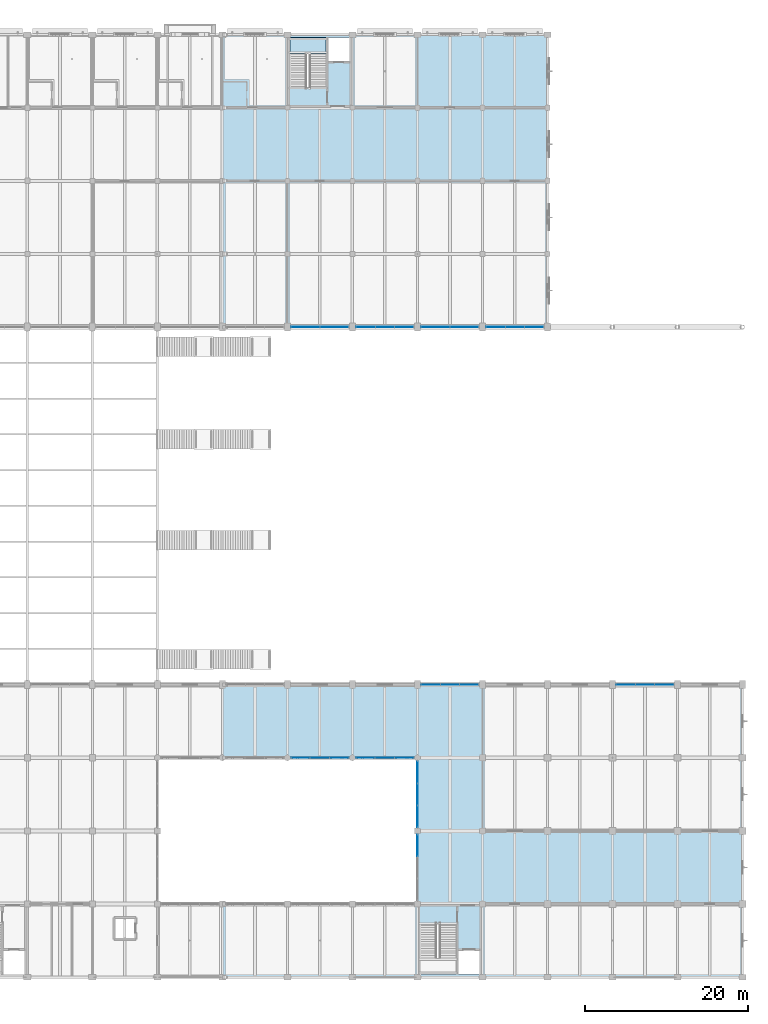
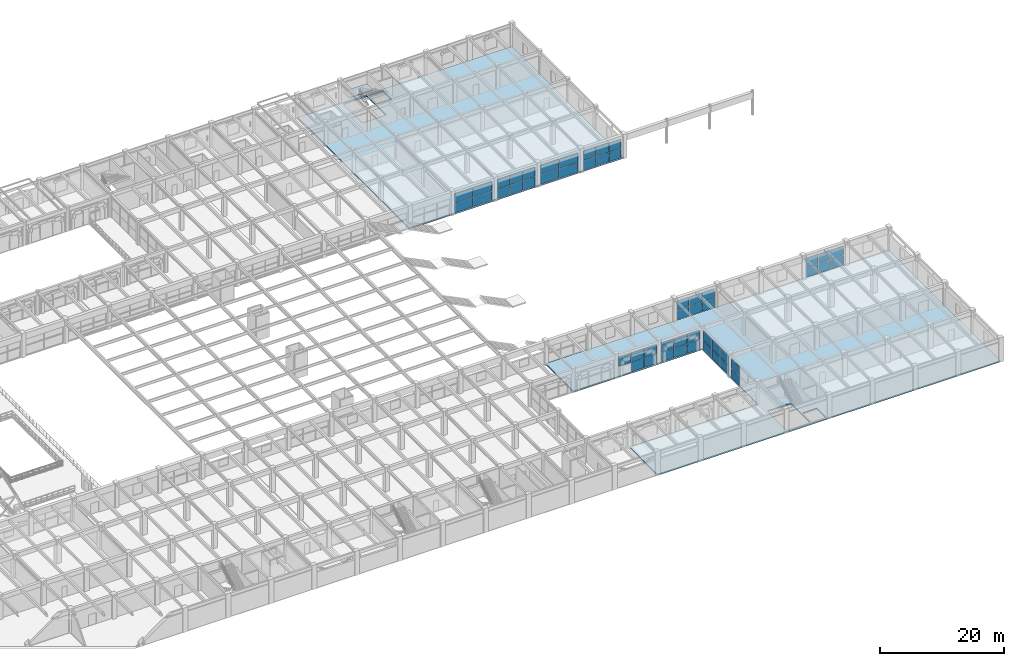
# One storey, part 97 of 144: 51 plates, 3 slabs, 11 elements without a shape of their own.
"""IFC4 building model written with IfcOpenShell, lengths in metres."""

from ifc_helpers import new_model, si_unit, direction, frame, origin, origin_2d, place, context, subcontext, project, spatial, polyline, rectangle, outline, extrude, material, layer, layer_set, type_object, element, aggregate, save


model = new_model("IFC4")

# Units and contexts
model_context = context("Model", 3, precision=1e-05, world=origin(), true_north=direction((0.0, 1.0)))
body_context = subcontext(model_context, "Body", "Model", "MODEL_VIEW")
ifc_project = project(units=[si_unit("LENGTHUNIT", "METRE"), si_unit("AREAUNIT", "SQUARE_METRE"), si_unit("VOLUMEUNIT", "CUBIC_METRE"), si_unit("PLANEANGLEUNIT", "RADIAN"), si_unit("MASSUNIT", "GRAM", prefix="KILO")], contexts=[model_context])

# Site, building, storey
site_placement = place(None, origin())
site = spatial("IfcSite", under=ifc_project, at=site_placement, CompositionType="ELEMENT")
building_placement = place(site_placement, origin())
building = spatial("IfcBuilding", under=site, at=building_placement, Name="Varnabhumi Central Station", CompositionType="ELEMENT")
storey_placement = place(building_placement, frame((0.0, 0.0, 4.800048828125)))
storey = spatial("IfcBuildingStorey", under=building, at=storey_placement, Name="L01", CompositionType="ELEMENT", Elevation=4.800048828125)

# Curtain wall, plates
ifc_material_1 = material(Name="Anodised aluminium 6063-T6", Category="aluminium")
curtain_wall_type_1 = type_object("IfcCurtainWallType", Name="CW-STREET-PORTAL", PredefinedType="NOTDEFINED", material=ifc_material_1)
curtain_wall_1_placement = place(storey_placement, origin())
curtain_wall_1 = element("IfcCurtainWall", 1, at=curtain_wall_1_placement, inside=storey, type_object=curtain_wall_type_1, Name="Curtain Wall CW-NSP119", PredefinedType="NOTDEFINED")
ifc_material_2 = material(Name="Laminated low-E double glazing", Category="glass")
ifc_layer_1 = layer(ifc_material_2, 0.035888671875, Name="Laminated low-E double glazing", Category="glass")
ifc_layer_set_1 = layer_set([ifc_layer_1], Name="Laminated low-E double glazing")
plate_type_1 = type_object("IfcPlateType", Name="CW-PNL-GLZ-2", PredefinedType="CURTAIN_PANEL", material=ifc_layer_set_1)
plate_1_placement = place(storey_placement, frame((153.63330078125, 80.0, 0.0400390625), z_axis=(0.0, 0.0, 1.0), x_axis=(1.0, 0.0, 0.0)))
plate_1 = element("IfcPlate", 2, at=plate_1_placement, type_object=plate_type_1, Name="Glazed Panel CW-NSP119-P11", PredefinedType="CURTAIN_PANEL", context=body_context, shape_type="SweptSolid", body=[
    extrude(rectangle(XDim=2.28662109375, YDim=0.035888671875, at=origin_2d()), origin(), (0.0, 0.0, 1.0), 1.840087890625),
])
plate_2_placement = place(storey_placement, frame((153.63330078125, 80.0, 1.9599609375), z_axis=(0.0, 0.0, 1.0), x_axis=(1.0, 0.0, 0.0)))
plate_2 = element("IfcPlate", 3, at=plate_2_placement, type_object=plate_type_1, Name="Glazed Panel CW-NSP119-P12", PredefinedType="CURTAIN_PANEL", context=body_context, shape_type="SweptSolid", body=[
    extrude(rectangle(XDim=2.28662109375, YDim=0.035888671875, at=origin_2d()), origin(), (0.0, 0.0, 1.0), 1.840087890625),
])
plate_3_placement = place(storey_placement, frame((156.0, 80.0, 0.0400390625), z_axis=(0.0, 0.0, 1.0), x_axis=(1.0, 0.0, 0.0)))
plate_3 = element("IfcPlate", 4, at=plate_3_placement, type_object=plate_type_1, Name="Glazed Panel CW-NSP119-P21", PredefinedType="CURTAIN_PANEL", context=body_context, shape_type="SweptSolid", body=[
    extrude(rectangle(XDim=2.28662109375, YDim=0.035888671875, at=origin_2d()), origin(), (0.0, 0.0, 1.0), 1.840087890625),
])
plate_4_placement = place(storey_placement, frame((156.0, 80.0, 1.9599609375), z_axis=(0.0, 0.0, 1.0), x_axis=(1.0, 0.0, 0.0)))
plate_4 = element("IfcPlate", 5, at=plate_4_placement, type_object=plate_type_1, Name="Glazed Panel CW-NSP119-P22", PredefinedType="CURTAIN_PANEL", context=body_context, shape_type="SweptSolid", body=[
    extrude(rectangle(XDim=2.28662109375, YDim=0.035888671875, at=origin_2d()), origin(), (0.0, 0.0, 1.0), 1.840087890625),
])
plate_5_placement = place(storey_placement, frame((158.36669921875, 80.0, 0.0400390625), z_axis=(0.0, 0.0, 1.0), x_axis=(1.0, 0.0, 0.0)))
plate_5 = element("IfcPlate", 6, at=plate_5_placement, type_object=plate_type_1, Name="Glazed Panel CW-NSP119-P31", PredefinedType="CURTAIN_PANEL", context=body_context, shape_type="SweptSolid", body=[
    extrude(rectangle(XDim=2.28662109375, YDim=0.035888671875, at=origin_2d()), origin(), (0.0, 0.0, 1.0), 1.840087890625),
])
plate_6_placement = place(storey_placement, frame((158.36669921875, 80.0, 1.9599609375), z_axis=(0.0, 0.0, 1.0), x_axis=(1.0, 0.0, 0.0)))
plate_6 = element("IfcPlate", 7, at=plate_6_placement, type_object=plate_type_1, Name="Glazed Panel CW-NSP119-P32", PredefinedType="CURTAIN_PANEL", context=body_context, shape_type="SweptSolid", body=[
    extrude(rectangle(XDim=2.28662109375, YDim=0.035888671875, at=origin_2d()), origin(), (0.0, 0.0, 1.0), 1.840087890625),
])
aggregate(curtain_wall_1, [plate_1, plate_2, plate_3, plate_4, plate_5, plate_6])

curtain_wall_type_2 = type_object("IfcCurtainWallType", Name="CW-SPINE-SCREEN-L0", PredefinedType="NOTDEFINED", material=ifc_material_1)
curtain_wall_2_placement = place(storey_placement, origin())
curtain_wall_2 = element("IfcCurtainWall", 8, at=curtain_wall_2_placement, inside=storey, type_object=curtain_wall_type_2, Name="Curtain Wall CW-SS118", PredefinedType="NOTDEFINED")
plate_7_placement = place(storey_placement, frame((145.63330078125, 36.0, 0.0400390625), z_axis=(0.0, 0.0, 1.0), x_axis=(1.0, 0.0, 0.0)))
plate_7 = element("IfcPlate", 9, at=plate_7_placement, type_object=plate_type_1, Name="Glazed Panel CW-SS118-P11", PredefinedType="CURTAIN_PANEL", context=body_context, shape_type="SweptSolid", body=[
    extrude(rectangle(XDim=2.28662109375, YDim=0.035888671875, at=origin_2d()), origin(), (0.0, 0.0, 1.0), 1.840087890625),
])
plate_8_placement = place(storey_placement, frame((145.63330078125, 36.0, 1.9599609375), z_axis=(0.0, 0.0, 1.0), x_axis=(1.0, 0.0, 0.0)))
plate_8 = element("IfcPlate", 10, at=plate_8_placement, type_object=plate_type_1, Name="Glazed Panel CW-SS118-P12", PredefinedType="CURTAIN_PANEL", context=body_context, shape_type="SweptSolid", body=[
    extrude(rectangle(XDim=2.28662109375, YDim=0.035888671875, at=origin_2d()), origin(), (0.0, 0.0, 1.0), 1.840087890625),
])
plate_9_placement = place(storey_placement, frame((148.0, 36.0, 0.0400390625), z_axis=(0.0, 0.0, 1.0), x_axis=(1.0, 0.0, 0.0)))
plate_9 = element("IfcPlate", 11, at=plate_9_placement, type_object=plate_type_1, Name="Glazed Panel CW-SS118-P21", PredefinedType="CURTAIN_PANEL", context=body_context, shape_type="SweptSolid", body=[
    extrude(rectangle(XDim=2.28662109375, YDim=0.035888671875, at=origin_2d()), origin(), (0.0, 0.0, 1.0), 1.840087890625),
])
plate_10_placement = place(storey_placement, frame((148.0, 36.0, 1.9599609375), z_axis=(0.0, 0.0, 1.0), x_axis=(1.0, 0.0, 0.0)))
plate_10 = element("IfcPlate", 12, at=plate_10_placement, type_object=plate_type_1, Name="Glazed Panel CW-SS118-P22", PredefinedType="CURTAIN_PANEL", context=body_context, shape_type="SweptSolid", body=[
    extrude(rectangle(XDim=2.28662109375, YDim=0.035888671875, at=origin_2d()), origin(), (0.0, 0.0, 1.0), 1.840087890625),
])
plate_11_placement = place(storey_placement, frame((150.36669921875, 36.0, 0.0400390625), z_axis=(0.0, 0.0, 1.0), x_axis=(1.0, 0.0, 0.0)))
plate_11 = element("IfcPlate", 13, at=plate_11_placement, type_object=plate_type_1, Name="Glazed Panel CW-SS118-P31", PredefinedType="CURTAIN_PANEL", context=body_context, shape_type="SweptSolid", body=[
    extrude(rectangle(XDim=2.28662109375, YDim=0.035888671875, at=origin_2d()), origin(), (0.0, 0.0, 1.0), 1.840087890625),
])
plate_12_placement = place(storey_placement, frame((150.36669921875, 36.0, 1.9599609375), z_axis=(0.0, 0.0, 1.0), x_axis=(1.0, 0.0, 0.0)))
plate_12 = element("IfcPlate", 14, at=plate_12_placement, type_object=plate_type_1, Name="Glazed Panel CW-SS118-P32", PredefinedType="CURTAIN_PANEL", context=body_context, shape_type="SweptSolid", body=[
    extrude(rectangle(XDim=2.28662109375, YDim=0.035888671875, at=origin_2d()), origin(), (0.0, 0.0, 1.0), 1.840087890625),
])
aggregate(curtain_wall_2, [plate_7, plate_8, plate_9, plate_10, plate_11, plate_12])

curtain_wall_type_3 = type_object("IfcCurtainWallType", Name="CW-PATIO-LOGGIA-L1", PredefinedType="NOTDEFINED", material=ifc_material_1)
curtain_wall_3_placement = place(storey_placement, origin())
curtain_wall_3 = element("IfcCurtainWall", 15, at=curtain_wall_3_placement, inside=storey, type_object=curtain_wall_type_3, Name="Curtain Wall CW-SP1W1", PredefinedType="NOTDEFINED")
ifc_layer_2 = layer(ifc_material_2, 0.035888671875, Name="Laminated low-E double glazing", Category="glass")
ifc_layer_set_2 = layer_set([ifc_layer_2], Name="Laminated low-E double glazing")
plate_type_2 = type_object("IfcPlateType", Name="CW-PNL-GLZ-3", PredefinedType="CURTAIN_PANEL", material=ifc_layer_set_2)
plate_13_placement = place(storey_placement, frame((144.0, 16.219970703125, 0.0400390625), z_axis=(0.0, 0.0, 1.0), x_axis=(0.0, 1.0, 0.0)))
plate_13 = element("IfcPlate", 16, at=plate_13_placement, type_object=plate_type_2, Name="Glazed Panel CW-SP1W1-P31", PredefinedType="CURTAIN_PANEL", context=body_context, shape_type="SweptSolid", body=[
    extrude(rectangle(XDim=2.639892578125, YDim=0.035888671875, at=origin_2d()), origin(), (0.0, 0.0, 1.0), 1.840087890625),
])
plate_14_placement = place(storey_placement, frame((144.0, 16.219970703125, 1.9599609375), z_axis=(0.0, 0.0, 1.0), x_axis=(0.0, 1.0, 0.0)))
plate_14 = element("IfcPlate", 17, at=plate_14_placement, type_object=plate_type_2, Name="Glazed Panel CW-SP1W1-P32", PredefinedType="CURTAIN_PANEL", context=body_context, shape_type="SweptSolid", body=[
    extrude(rectangle(XDim=2.639892578125, YDim=0.035888671875, at=origin_2d()), origin(), (0.0, 0.0, 1.0), 1.840087890625),
])
aggregate(curtain_wall_3, [plate_13, plate_14])

curtain_wall_4_placement = place(storey_placement, origin())
curtain_wall_4 = element("IfcCurtainWall", 18, at=curtain_wall_4_placement, inside=storey, type_object=curtain_wall_type_3, Name="Curtain Wall CW-SP1W2", PredefinedType="NOTDEFINED")
plate_15_placement = place(storey_placement, frame((144.0, 19.780029296875, 0.0400390625), z_axis=(0.0, 0.0, 1.0), x_axis=(0.0, 1.0, 0.0)))
plate_15 = element("IfcPlate", 19, at=plate_15_placement, type_object=plate_type_2, Name="Glazed Panel CW-SP1W2-P11", PredefinedType="CURTAIN_PANEL", context=body_context, shape_type="SweptSolid", body=[
    extrude(rectangle(XDim=2.639892578125, YDim=0.035888671875, at=origin_2d()), origin(), (0.0, 0.0, 1.0), 1.840087890625),
])
plate_16_placement = place(storey_placement, frame((144.0, 19.780029296875, 1.9599609375), z_axis=(0.0, 0.0, 1.0), x_axis=(0.0, 1.0, 0.0)))
plate_16 = element("IfcPlate", 20, at=plate_16_placement, type_object=plate_type_2, Name="Glazed Panel CW-SP1W2-P12", PredefinedType="CURTAIN_PANEL", context=body_context, shape_type="SweptSolid", body=[
    extrude(rectangle(XDim=2.639892578125, YDim=0.035888671875, at=origin_2d()), origin(), (0.0, 0.0, 1.0), 1.840087890625),
])
plate_17_placement = place(storey_placement, frame((144.0, 22.5, 0.0400390625), z_axis=(0.0, 0.0, 1.0), x_axis=(0.0, 1.0, 0.0)))
plate_17 = element("IfcPlate", 21, at=plate_17_placement, type_object=plate_type_2, Name="Glazed Panel CW-SP1W2-P21", PredefinedType="CURTAIN_PANEL", context=body_context, shape_type="SweptSolid", body=[
    extrude(rectangle(XDim=2.639892578125, YDim=0.035888671875, at=origin_2d()), origin(), (0.0, 0.0, 1.0), 1.840087890625),
])
plate_18_placement = place(storey_placement, frame((144.0, 22.5, 1.9599609375), z_axis=(0.0, 0.0, 1.0), x_axis=(0.0, 1.0, 0.0)))
plate_18 = element("IfcPlate", 22, at=plate_18_placement, type_object=plate_type_2, Name="Glazed Panel CW-SP1W2-P22", PredefinedType="CURTAIN_PANEL", context=body_context, shape_type="SweptSolid", body=[
    extrude(rectangle(XDim=2.639892578125, YDim=0.035888671875, at=origin_2d()), origin(), (0.0, 0.0, 1.0), 1.840087890625),
])
plate_19_placement = place(storey_placement, frame((144.0, 25.219970703125, 0.0400390625), z_axis=(0.0, 0.0, 1.0), x_axis=(0.0, 1.0, 0.0)))
plate_19 = element("IfcPlate", 23, at=plate_19_placement, type_object=plate_type_2, Name="Glazed Panel CW-SP1W2-P31", PredefinedType="CURTAIN_PANEL", context=body_context, shape_type="SweptSolid", body=[
    extrude(rectangle(XDim=2.639892578125, YDim=0.035888671875, at=origin_2d()), origin(), (0.0, 0.0, 1.0), 1.840087890625),
])
plate_20_placement = place(storey_placement, frame((144.0, 25.219970703125, 1.9599609375), z_axis=(0.0, 0.0, 1.0), x_axis=(0.0, 1.0, 0.0)))
plate_20 = element("IfcPlate", 24, at=plate_20_placement, type_object=plate_type_2, Name="Glazed Panel CW-SP1W2-P32", PredefinedType="CURTAIN_PANEL", context=body_context, shape_type="SweptSolid", body=[
    extrude(rectangle(XDim=2.639892578125, YDim=0.035888671875, at=origin_2d()), origin(), (0.0, 0.0, 1.0), 1.840087890625),
])
aggregate(curtain_wall_4, [plate_15, plate_16, plate_17, plate_18, plate_19, plate_20])

curtain_wall_5_placement = place(storey_placement, origin())
curtain_wall_5 = element("IfcCurtainWall", 25, at=curtain_wall_5_placement, inside=storey, type_object=curtain_wall_type_2, Name="Curtain Wall CW-NS116", PredefinedType="NOTDEFINED")
ifc_layer_3 = layer(ifc_material_2, 0.035888671875, Name="Laminated low-E double glazing", Category="glass")
ifc_layer_set_3 = layer_set([ifc_layer_3], Name="Laminated low-E double glazing")
plate_type_3 = type_object("IfcPlateType", Name="CW-PNL-GLZ-5", PredefinedType="CURTAIN_PANEL", material=ifc_layer_set_3)
plate_21_placement = place(storey_placement, frame((130.22509765625, 80.0, 0.0400390625), z_axis=(0.0, 0.0, 1.0), x_axis=(1.0, 0.0, 0.0)))
plate_21 = element("IfcPlate", 26, at=plate_21_placement, type_object=plate_type_3, Name="Glazed Panel CW-NS116-P11", PredefinedType="CURTAIN_PANEL", context=body_context, shape_type="SweptSolid", body=[
    extrude(rectangle(XDim=3.469970703125, YDim=0.035888671875, at=origin_2d()), origin(), (0.0, 0.0, 1.0), 1.840087890625),
])
plate_22_placement = place(storey_placement, frame((130.22509765625, 80.0, 1.9599609375), z_axis=(0.0, 0.0, 1.0), x_axis=(1.0, 0.0, 0.0)))
plate_22 = element("IfcPlate", 27, at=plate_22_placement, type_object=plate_type_3, Name="Glazed Panel CW-NS116-P12", PredefinedType="CURTAIN_PANEL", context=body_context, shape_type="SweptSolid", body=[
    extrude(rectangle(XDim=3.469970703125, YDim=0.035888671875, at=origin_2d()), origin(), (0.0, 0.0, 1.0), 1.840087890625),
])
plate_23_placement = place(storey_placement, frame((133.77490234375, 80.0, 0.0400390625), z_axis=(0.0, 0.0, 1.0), x_axis=(1.0, 0.0, 0.0)))
plate_23 = element("IfcPlate", 28, at=plate_23_placement, type_object=plate_type_3, Name="Glazed Panel CW-NS116-P21", PredefinedType="CURTAIN_PANEL", context=body_context, shape_type="SweptSolid", body=[
    extrude(rectangle(XDim=3.469970703125, YDim=0.035888671875, at=origin_2d()), origin(), (0.0, 0.0, 1.0), 1.840087890625),
])
plate_24_placement = place(storey_placement, frame((133.77490234375, 80.0, 1.9599609375), z_axis=(0.0, 0.0, 1.0), x_axis=(1.0, 0.0, 0.0)))
plate_24 = element("IfcPlate", 29, at=plate_24_placement, type_object=plate_type_3, Name="Glazed Panel CW-NS116-P22", PredefinedType="CURTAIN_PANEL", context=body_context, shape_type="SweptSolid", body=[
    extrude(rectangle(XDim=3.469970703125, YDim=0.035888671875, at=origin_2d()), origin(), (0.0, 0.0, 1.0), 1.840087890625),
])
aggregate(curtain_wall_5, [plate_21, plate_22, plate_23, plate_24])

curtain_wall_6_placement = place(storey_placement, origin())
curtain_wall_6 = element("IfcCurtainWall", 30, at=curtain_wall_6_placement, inside=storey, type_object=curtain_wall_type_2, Name="Curtain Wall CW-NS118", PredefinedType="NOTDEFINED")
plate_25_placement = place(storey_placement, frame((146.22509765625, 80.0, 0.0400390625), z_axis=(0.0, 0.0, 1.0), x_axis=(1.0, 0.0, 0.0)))
plate_25 = element("IfcPlate", 31, at=plate_25_placement, type_object=plate_type_3, Name="Glazed Panel CW-NS118-P11", PredefinedType="CURTAIN_PANEL", context=body_context, shape_type="SweptSolid", body=[
    extrude(rectangle(XDim=3.469970703125, YDim=0.035888671875, at=origin_2d()), origin(), (0.0, 0.0, 1.0), 1.840087890625),
])
plate_26_placement = place(storey_placement, frame((146.22509765625, 80.0, 1.9599609375), z_axis=(0.0, 0.0, 1.0), x_axis=(1.0, 0.0, 0.0)))
plate_26 = element("IfcPlate", 32, at=plate_26_placement, type_object=plate_type_3, Name="Glazed Panel CW-NS118-P12", PredefinedType="CURTAIN_PANEL", context=body_context, shape_type="SweptSolid", body=[
    extrude(rectangle(XDim=3.469970703125, YDim=0.035888671875, at=origin_2d()), origin(), (0.0, 0.0, 1.0), 1.840087890625),
])
plate_27_placement = place(storey_placement, frame((149.77490234375, 80.0, 0.0400390625), z_axis=(0.0, 0.0, 1.0), x_axis=(1.0, 0.0, 0.0)))
plate_27 = element("IfcPlate", 33, at=plate_27_placement, type_object=plate_type_3, Name="Glazed Panel CW-NS118-P21", PredefinedType="CURTAIN_PANEL", context=body_context, shape_type="SweptSolid", body=[
    extrude(rectangle(XDim=3.469970703125, YDim=0.035888671875, at=origin_2d()), origin(), (0.0, 0.0, 1.0), 1.840087890625),
])
plate_28_placement = place(storey_placement, frame((149.77490234375, 80.0, 1.9599609375), z_axis=(0.0, 0.0, 1.0), x_axis=(1.0, 0.0, 0.0)))
plate_28 = element("IfcPlate", 34, at=plate_28_placement, type_object=plate_type_3, Name="Glazed Panel CW-NS118-P22", PredefinedType="CURTAIN_PANEL", context=body_context, shape_type="SweptSolid", body=[
    extrude(rectangle(XDim=3.469970703125, YDim=0.035888671875, at=origin_2d()), origin(), (0.0, 0.0, 1.0), 1.840087890625),
])
aggregate(curtain_wall_6, [plate_25, plate_26, plate_27, plate_28])

curtain_wall_7_placement = place(storey_placement, origin())
curtain_wall_7 = element("IfcCurtainWall", 35, at=curtain_wall_7_placement, inside=storey, type_object=curtain_wall_type_2, Name="Curtain Wall CW-SS121", PredefinedType="NOTDEFINED")
plate_29_placement = place(storey_placement, frame((169.63330078125, 36.0, 0.0400390625), z_axis=(0.0, 0.0, 1.0), x_axis=(1.0, 0.0, 0.0)))
plate_29 = element("IfcPlate", 36, at=plate_29_placement, type_object=plate_type_3, Name="Glazed Panel CW-SS121-P11", PredefinedType="CURTAIN_PANEL", context=body_context, shape_type="SweptSolid", body=[
    extrude(rectangle(XDim=2.28662109375, YDim=0.035888671875, at=origin_2d()), origin(), (0.0, 0.0, 1.0), 1.840087890625),
])
plate_30_placement = place(storey_placement, frame((169.63330078125, 36.0, 1.9599609375), z_axis=(0.0, 0.0, 1.0), x_axis=(1.0, 0.0, 0.0)))
plate_30 = element("IfcPlate", 37, at=plate_30_placement, type_object=plate_type_3, Name="Glazed Panel CW-SS121-P12", PredefinedType="CURTAIN_PANEL", context=body_context, shape_type="SweptSolid", body=[
    extrude(rectangle(XDim=2.28662109375, YDim=0.035888671875, at=origin_2d()), origin(), (0.0, 0.0, 1.0), 1.840087890625),
])
plate_31_placement = place(storey_placement, frame((172.0, 36.0, 0.0400390625), z_axis=(0.0, 0.0, 1.0), x_axis=(1.0, 0.0, 0.0)))
plate_31 = element("IfcPlate", 38, at=plate_31_placement, type_object=plate_type_3, Name="Glazed Panel CW-SS121-P21", PredefinedType="CURTAIN_PANEL", context=body_context, shape_type="SweptSolid", body=[
    extrude(rectangle(XDim=2.28662109375, YDim=0.035888671875, at=origin_2d()), origin(), (0.0, 0.0, 1.0), 1.840087890625),
])
plate_32_placement = place(storey_placement, frame((172.0, 36.0, 1.9599609375), z_axis=(0.0, 0.0, 1.0), x_axis=(1.0, 0.0, 0.0)))
plate_32 = element("IfcPlate", 39, at=plate_32_placement, type_object=plate_type_3, Name="Glazed Panel CW-SS121-P22", PredefinedType="CURTAIN_PANEL", context=body_context, shape_type="SweptSolid", body=[
    extrude(rectangle(XDim=2.28662109375, YDim=0.035888671875, at=origin_2d()), origin(), (0.0, 0.0, 1.0), 1.840087890625),
])
plate_33_placement = place(storey_placement, frame((174.36669921875, 36.0, 0.0400390625), z_axis=(0.0, 0.0, 1.0), x_axis=(1.0, 0.0, 0.0)))
plate_33 = element("IfcPlate", 40, at=plate_33_placement, type_object=plate_type_3, Name="Glazed Panel CW-SS121-P31", PredefinedType="CURTAIN_PANEL", context=body_context, shape_type="SweptSolid", body=[
    extrude(rectangle(XDim=2.28662109375, YDim=0.035888671875, at=origin_2d()), origin(), (0.0, 0.0, 1.0), 1.840087890625),
])
plate_34_placement = place(storey_placement, frame((174.36669921875, 36.0, 1.9599609375), z_axis=(0.0, 0.0, 1.0), x_axis=(1.0, 0.0, 0.0)))
plate_34 = element("IfcPlate", 41, at=plate_34_placement, type_object=plate_type_3, Name="Glazed Panel CW-SS121-P32", PredefinedType="CURTAIN_PANEL", context=body_context, shape_type="SweptSolid", body=[
    extrude(rectangle(XDim=2.28662109375, YDim=0.035888671875, at=origin_2d()), origin(), (0.0, 0.0, 1.0), 1.840087890625),
])
aggregate(curtain_wall_7, [plate_29, plate_30, plate_31, plate_32, plate_33, plate_34])

curtain_wall_8_placement = place(storey_placement, origin())
curtain_wall_8 = element("IfcCurtainWall", 42, at=curtain_wall_8_placement, inside=storey, type_object=curtain_wall_type_1, Name="Curtain Wall CW-NSP117", PredefinedType="NOTDEFINED")
ifc_layer_4 = layer(ifc_material_2, 0.035888671875, Name="Laminated low-E double glazing", Category="glass")
ifc_layer_set_4 = layer_set([ifc_layer_4], Name="Laminated low-E double glazing")
plate_type_4 = type_object("IfcPlateType", Name="CW-PNL-GLZ-6", PredefinedType="CURTAIN_PANEL", material=ifc_layer_set_4)
plate_35_placement = place(storey_placement, frame((137.63330078125, 80.0, 0.0400390625), z_axis=(0.0, 0.0, 1.0), x_axis=(1.0, 0.0, 0.0)))
plate_35 = element("IfcPlate", 43, at=plate_35_placement, type_object=plate_type_4, Name="Glazed Panel CW-NSP117-P11", PredefinedType="CURTAIN_PANEL", context=body_context, shape_type="SweptSolid", body=[
    extrude(rectangle(XDim=2.28662109375, YDim=0.035888671875, at=origin_2d()), origin(), (0.0, 0.0, 1.0), 1.840087890625),
])
plate_36_placement = place(storey_placement, frame((137.63330078125, 80.0, 1.9599609375), z_axis=(0.0, 0.0, 1.0), x_axis=(1.0, 0.0, 0.0)))
plate_36 = element("IfcPlate", 44, at=plate_36_placement, type_object=plate_type_4, Name="Glazed Panel CW-NSP117-P12", PredefinedType="CURTAIN_PANEL", context=body_context, shape_type="SweptSolid", body=[
    extrude(rectangle(XDim=2.28662109375, YDim=0.035888671875, at=origin_2d()), origin(), (0.0, 0.0, 1.0), 1.840087890625),
])
plate_37_placement = place(storey_placement, frame((140.0, 80.0, 0.0400390625), z_axis=(0.0, 0.0, 1.0), x_axis=(1.0, 0.0, 0.0)))
plate_37 = element("IfcPlate", 45, at=plate_37_placement, type_object=plate_type_4, Name="Glazed Panel CW-NSP117-P21", PredefinedType="CURTAIN_PANEL", context=body_context, shape_type="SweptSolid", body=[
    extrude(rectangle(XDim=2.28662109375, YDim=0.035888671875, at=origin_2d()), origin(), (0.0, 0.0, 1.0), 1.840087890625),
])
plate_38_placement = place(storey_placement, frame((140.0, 80.0, 1.9599609375), z_axis=(0.0, 0.0, 1.0), x_axis=(1.0, 0.0, 0.0)))
plate_38 = element("IfcPlate", 46, at=plate_38_placement, type_object=plate_type_4, Name="Glazed Panel CW-NSP117-P22", PredefinedType="CURTAIN_PANEL", context=body_context, shape_type="SweptSolid", body=[
    extrude(rectangle(XDim=2.28662109375, YDim=0.035888671875, at=origin_2d()), origin(), (0.0, 0.0, 1.0), 1.840087890625),
])
plate_39_placement = place(storey_placement, frame((142.36669921875, 80.0, 0.0400390625), z_axis=(0.0, 0.0, 1.0), x_axis=(1.0, 0.0, 0.0)))
plate_39 = element("IfcPlate", 47, at=plate_39_placement, type_object=plate_type_4, Name="Glazed Panel CW-NSP117-P31", PredefinedType="CURTAIN_PANEL", context=body_context, shape_type="SweptSolid", body=[
    extrude(rectangle(XDim=2.28662109375, YDim=0.035888671875, at=origin_2d()), origin(), (0.0, 0.0, 1.0), 1.840087890625),
])
plate_40_placement = place(storey_placement, frame((142.36669921875, 80.0, 1.9599609375), z_axis=(0.0, 0.0, 1.0), x_axis=(1.0, 0.0, 0.0)))
plate_40 = element("IfcPlate", 48, at=plate_40_placement, type_object=plate_type_4, Name="Glazed Panel CW-NSP117-P32", PredefinedType="CURTAIN_PANEL", context=body_context, shape_type="SweptSolid", body=[
    extrude(rectangle(XDim=2.28662109375, YDim=0.035888671875, at=origin_2d()), origin(), (0.0, 0.0, 1.0), 1.840087890625),
])
aggregate(curtain_wall_8, [plate_35, plate_36, plate_37, plate_38, plate_39, plate_40])

curtain_wall_9_placement = place(storey_placement, origin())
curtain_wall_9 = element("IfcCurtainWall", 49, at=curtain_wall_9_placement, inside=storey, type_object=curtain_wall_type_3, Name="Curtain Wall CW-SP1N3", PredefinedType="NOTDEFINED")
ifc_layer_5 = layer(ifc_material_2, 0.035888671875, Name="Laminated low-E double glazing", Category="glass")
ifc_layer_set_5 = layer_set([ifc_layer_5], Name="Laminated low-E double glazing")
plate_type_5 = type_object("IfcPlateType", Name="CW-PNL-GLZ-7", PredefinedType="CURTAIN_PANEL", material=ifc_layer_set_5)
plate_41_placement = place(storey_placement, frame((129.61328125, 27.0, 1.9599609375), z_axis=(0.0, 0.0, 1.0), x_axis=(1.0, 0.0, 0.0)))
plate_41 = element("IfcPlate", 50, at=plate_41_placement, type_object=plate_type_5, Name="Glazed Panel CW-SP1N3-P12", PredefinedType="CURTAIN_PANEL", context=body_context, shape_type="SweptSolid", body=[
    extrude(rectangle(XDim=2.306640625, YDim=0.035888671875, at=origin_2d()), origin(), (0.0, 0.0, 1.0), 1.840087890625),
])
plate_42_placement = place(storey_placement, frame((132.0, 27.0, 0.0400390625), z_axis=(0.0, 0.0, 1.0), x_axis=(1.0, 0.0, 0.0)))
plate_42 = element("IfcPlate", 51, at=plate_42_placement, type_object=plate_type_5, Name="Glazed Panel CW-SP1N3-P21", PredefinedType="CURTAIN_PANEL", context=body_context, shape_type="SweptSolid", body=[
    extrude(rectangle(XDim=2.306640625, YDim=0.035888671875, at=origin_2d()), origin(), (0.0, 0.0, 1.0), 1.840087890625),
])
plate_43_placement = place(storey_placement, frame((132.0, 27.0, 1.9599609375), z_axis=(0.0, 0.0, 1.0), x_axis=(1.0, 0.0, 0.0)))
plate_43 = element("IfcPlate", 52, at=plate_43_placement, type_object=plate_type_5, Name="Glazed Panel CW-SP1N3-P22", PredefinedType="CURTAIN_PANEL", context=body_context, shape_type="SweptSolid", body=[
    extrude(rectangle(XDim=2.306640625, YDim=0.035888671875, at=origin_2d()), origin(), (0.0, 0.0, 1.0), 1.840087890625),
])
plate_44_placement = place(storey_placement, frame((134.38671875, 27.0, 0.0400390625), z_axis=(0.0, 0.0, 1.0), x_axis=(1.0, 0.0, 0.0)))
plate_44 = element("IfcPlate", 53, at=plate_44_placement, type_object=plate_type_5, Name="Glazed Panel CW-SP1N3-P31", PredefinedType="CURTAIN_PANEL", context=body_context, shape_type="SweptSolid", body=[
    extrude(rectangle(XDim=2.306640625, YDim=0.035888671875, at=origin_2d()), origin(), (0.0, 0.0, 1.0), 1.840087890625),
])
plate_45_placement = place(storey_placement, frame((134.38671875, 27.0, 1.9599609375), z_axis=(0.0, 0.0, 1.0), x_axis=(1.0, 0.0, 0.0)))
plate_45 = element("IfcPlate", 54, at=plate_45_placement, type_object=plate_type_5, Name="Glazed Panel CW-SP1N3-P32", PredefinedType="CURTAIN_PANEL", context=body_context, shape_type="SweptSolid", body=[
    extrude(rectangle(XDim=2.306640625, YDim=0.035888671875, at=origin_2d()), origin(), (0.0, 0.0, 1.0), 1.840087890625),
])
aggregate(curtain_wall_9, [plate_41, plate_42, plate_43, plate_44, plate_45])

curtain_wall_10_placement = place(storey_placement, origin())
curtain_wall_10 = element("IfcCurtainWall", 55, at=curtain_wall_10_placement, inside=storey, type_object=curtain_wall_type_3, Name="Curtain Wall CW-SP1N4", PredefinedType="NOTDEFINED")
ifc_layer_6 = layer(ifc_material_2, 0.035888671875, Name="Laminated low-E double glazing", Category="glass")
ifc_layer_set_6 = layer_set([ifc_layer_6], Name="Laminated low-E double glazing")
plate_type_6 = type_object("IfcPlateType", Name="CW-PNL-GLZ-8", PredefinedType="CURTAIN_PANEL", material=ifc_layer_set_6)
plate_46_placement = place(storey_placement, frame((137.61328125, 27.0, 0.0400390625), z_axis=(0.0, 0.0, 1.0), x_axis=(1.0, 0.0, 0.0)))
plate_46 = element("IfcPlate", 56, at=plate_46_placement, type_object=plate_type_6, Name="Glazed Panel CW-SP1N4-P11", PredefinedType="CURTAIN_PANEL", context=body_context, shape_type="SweptSolid", body=[
    extrude(rectangle(XDim=2.306640625, YDim=0.035888671875, at=origin_2d()), origin(), (0.0, 0.0, 1.0), 1.840087890625),
])
plate_47_placement = place(storey_placement, frame((137.61328125, 27.0, 1.9599609375), z_axis=(0.0, 0.0, 1.0), x_axis=(1.0, 0.0, 0.0)))
plate_47 = element("IfcPlate", 57, at=plate_47_placement, type_object=plate_type_6, Name="Glazed Panel CW-SP1N4-P12", PredefinedType="CURTAIN_PANEL", context=body_context, shape_type="SweptSolid", body=[
    extrude(rectangle(XDim=2.306640625, YDim=0.035888671875, at=origin_2d()), origin(), (0.0, 0.0, 1.0), 1.840087890625),
])
plate_48_placement = place(storey_placement, frame((140.0, 27.0, 0.0400390625), z_axis=(0.0, 0.0, 1.0), x_axis=(1.0, 0.0, 0.0)))
plate_48 = element("IfcPlate", 58, at=plate_48_placement, type_object=plate_type_6, Name="Glazed Panel CW-SP1N4-P21", PredefinedType="CURTAIN_PANEL", context=body_context, shape_type="SweptSolid", body=[
    extrude(rectangle(XDim=2.306640625, YDim=0.035888671875, at=origin_2d()), origin(), (0.0, 0.0, 1.0), 1.840087890625),
])
plate_49_placement = place(storey_placement, frame((140.0, 27.0, 1.9599609375), z_axis=(0.0, 0.0, 1.0), x_axis=(1.0, 0.0, 0.0)))
plate_49 = element("IfcPlate", 59, at=plate_49_placement, type_object=plate_type_6, Name="Glazed Panel CW-SP1N4-P22", PredefinedType="CURTAIN_PANEL", context=body_context, shape_type="SweptSolid", body=[
    extrude(rectangle(XDim=2.306640625, YDim=0.035888671875, at=origin_2d()), origin(), (0.0, 0.0, 1.0), 1.840087890625),
])
plate_50_placement = place(storey_placement, frame((142.38671875, 27.0, 0.0400390625), z_axis=(0.0, 0.0, 1.0), x_axis=(1.0, 0.0, 0.0)))
plate_50 = element("IfcPlate", 60, at=plate_50_placement, type_object=plate_type_6, Name="Glazed Panel CW-SP1N4-P31", PredefinedType="CURTAIN_PANEL", context=body_context, shape_type="SweptSolid", body=[
    extrude(rectangle(XDim=2.306640625, YDim=0.035888671875, at=origin_2d()), origin(), (0.0, 0.0, 1.0), 1.840087890625),
])
plate_51_placement = place(storey_placement, frame((142.38671875, 27.0, 1.9599609375), z_axis=(0.0, 0.0, 1.0), x_axis=(1.0, 0.0, 0.0)))
plate_51 = element("IfcPlate", 61, at=plate_51_placement, type_object=plate_type_6, Name="Glazed Panel CW-SP1N4-P32", PredefinedType="CURTAIN_PANEL", context=body_context, shape_type="SweptSolid", body=[
    extrude(rectangle(XDim=2.306640625, YDim=0.035888671875, at=origin_2d()), origin(), (0.0, 0.0, 1.0), 1.840087890625),
])
aggregate(curtain_wall_10, [plate_46, plate_47, plate_48, plate_49, plate_50, plate_51])

# Stair, slab
ifc_material_3 = material(Name="Concrete M40", Category="concrete")
stair_type = type_object("IfcStairType", Name="STR-CORE-4800", PredefinedType="DOUBLE_RETURN_STAIR", material=ifc_material_3)
stair_placement = place(storey_placement, origin())
stair = element("IfcStair", 62, at=stair_placement, inside=storey, type_object=stair_type, Name="Core Stair ST-N3 (L01)", PredefinedType="DOUBLE_RETURN_STAIR")
ifc_layer_7 = layer(ifc_material_3, 0.179931640625, Name="Concrete M40", Category="concrete")
ifc_layer_set_7 = layer_set([ifc_layer_7], Name="Concrete M40")
slab_type_1 = type_object("IfcSlabType", Name="SLB-STAIR-LAND", PredefinedType="LANDING", material=ifc_layer_set_7)
slab_1_placement = place(storey_placement, frame((0.0, 0.0, 2.219970703125)))
slab_1 = element("IfcSlab", 63, at=slab_1_placement, type_object=slab_type_1, Name="ST-N3 L01 Half Landing", PredefinedType="LANDING", context=body_context, shape_type="SweptSolid", body=[
    extrude(outline(polyline([(128.340087890625, 113.614990234375), (132.760009765625, 113.614990234375), (132.760009765625, 115.639892578125), (128.340087890625, 115.639892578125), (128.340087890625, 113.614990234375)])), origin(), (0.0, 0.0, 1.0), 0.179931640625),
])
aggregate(stair, [slab_1])

# Slabs
ifc_layer_8 = layer(ifc_material_3, 0.25, Name="Concrete M40", Category="concrete")
ifc_layer_set_8 = layer_set([ifc_layer_8], Name="Concrete M40")
slab_type_2 = type_object("IfcSlabType", Name="SLB-WING-250", PredefinedType="FLOOR", material=ifc_layer_set_8)
slab_2_placement = place(storey_placement, frame((0.0, 0.0, -0.25)))
element("IfcSlab", 64, at=slab_2_placement, inside=storey, type_object=slab_type_2, Name="North Wing L01 Floor Slab Zone 5", PredefinedType="FLOOR", context=body_context, shape_type="SweptSolid", body=[
    extrude(outline(polyline([(120.06005859375, 80.0), (160.0, 80.0), (160.0, 116.0), (120.06005859375, 116.0), (120.06005859375, 80.0)]), holes=[polyline([(128.330078125, 109.419921875), (132.760009765625, 109.419921875), (132.760009765625, 115.64990234375), (128.330078125, 115.64990234375), (128.330078125, 109.419921875)]), polyline([(133.0400390625, 112.75), (135.669921875, 112.75), (135.669921875, 115.64990234375), (133.0400390625, 115.64990234375), (133.0400390625, 112.75)])]), origin(), (0.0, 0.0, 1.0), 0.25),
])
slab_3_placement = place(storey_placement, frame((0.0, 0.0, -0.25)))
element("IfcSlab", 65, at=slab_3_placement, inside=storey, type_object=slab_type_2, Name="South Wing L01 Floor Slab Zone 3", PredefinedType="FLOOR", context=body_context, shape_type="SweptSolid", body=[
    extrude(outline(polyline([(120.06005859375, 0.0), (184.0, 0.0), (184.0, 36.0), (120.06005859375, 36.0), (120.06005859375, 27.0), (144.0, 27.0), (144.0, 9.0), (120.06005859375, 9.0), (120.06005859375, 0.0)]), holes=[polyline([(144.330078125, 0.35009765625), (148.760009765625, 0.35009765625), (148.760009765625, 6.580078125), (144.330078125, 6.580078125), (144.330078125, 0.35009765625)]), polyline([(149.0400390625, 0.35009765625), (151.669921875, 0.35009765625), (151.669921875, 3.25), (149.0400390625, 3.25), (149.0400390625, 0.35009765625)])]), origin(), (0.0, 0.0, 1.0), 0.25),
])

save(model, "model.ifc")
